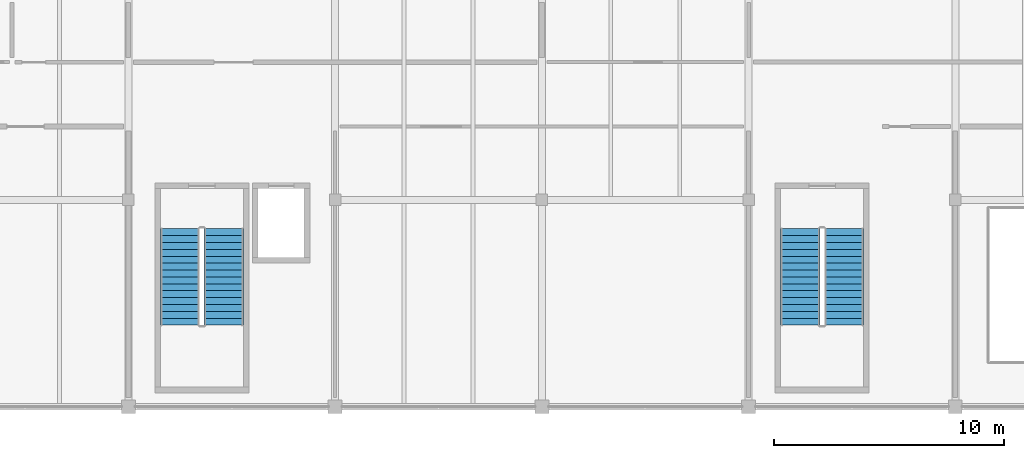
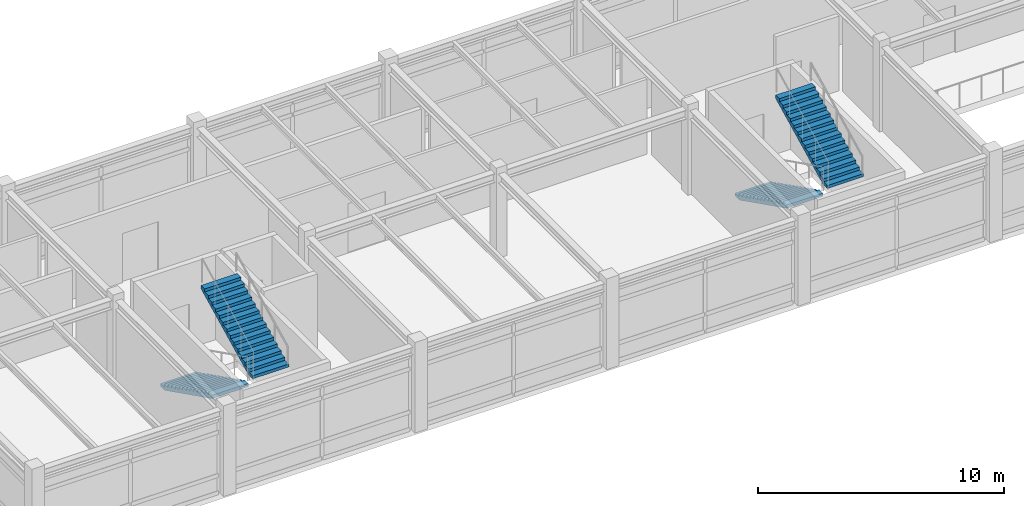
# One storey, part 31 of 33: 4 stair flights, 2 elements without a shape of their own.
"""IFC4 building model written with IfcOpenShell, lengths in metres."""

from ifc_helpers import new_model, si_unit, direction, frame, origin, place, context, subcontext, project, spatial, polyline, outline, extrude, material, type_object, element, aggregate, save


model = new_model("IFC4")

# Units and contexts
model_context = context("Model", 3, precision=1e-05, world=origin(), true_north=direction((0.0, 1.0)))
body_context = subcontext(model_context, "Body", "Model", "MODEL_VIEW")
ifc_project = project(units=[si_unit("LENGTHUNIT", "METRE"), si_unit("AREAUNIT", "SQUARE_METRE"), si_unit("VOLUMEUNIT", "CUBIC_METRE"), si_unit("PLANEANGLEUNIT", "RADIAN"), si_unit("MASSUNIT", "GRAM", prefix="KILO")], contexts=[model_context])

# Site, building, storey
site_placement = place(None, origin())
site = spatial("IfcSite", under=ifc_project, at=site_placement, CompositionType="ELEMENT")
building_placement = place(site_placement, origin())
building = spatial("IfcBuilding", under=site, at=building_placement, Name="Bozkorgan Art Gallery", CompositionType="ELEMENT")
storey_placement = place(building_placement, frame((0.0, 0.0, 19.5)))
storey = spatial("IfcBuildingStorey", under=building, at=storey_placement, Name="L04", CompositionType="ELEMENT", Elevation=19.5)

# Stair, stair flights
ifc_material = material(Name="Concrete C35/45", Category="concrete")
stair_type_1 = type_object("IfcStairType", Name="STAIR-CORE1", PredefinedType="HALF_TURN_STAIR", material=ifc_material)
stair_1_placement = place(storey_placement, origin())
stair_1 = element("IfcStair", 1, at=stair_1_placement, inside=storey, type_object=stair_type_1, Name="L04 ST1 Core Stair", PredefinedType="HALF_TURN_STAIR")
stair_flight_type_1 = type_object("IfcStairFlightType", Name="SFLT-CORE1", PredefinedType="STRAIGHT", material=ifc_material)
stair_flight_1_placement = place(storey_placement, frame((13.25, 9.75, 0.0), z_axis=(0.0, 0.0, 1.0), x_axis=(0.0, -1.0, 0.0)))
stair_flight_1 = element("IfcStairFlight", 2, at=stair_flight_1_placement, type_object=stair_flight_type_1, Name="ST1 flight 1", NumberOfRisers=15, NumberOfTreads=14, PredefinedType="STRAIGHT", RiserHeight=0.15, TreadLength=0.3, context=body_context, shape_type="SweptSolid", body=[
    extrude(outline(polyline([(0.0, 0.0), (0.0, 0.14990234375), (0.300048828125, 0.14990234375), (0.300048828125, 0.300048828125), (0.60009765625, 0.300048828125), (0.60009765625, 0.449951171875), (0.89990234375, 0.449951171875), (0.89990234375, 0.60009765625), (1.199951171875, 0.60009765625), (1.199951171875, 0.75), (1.5, 0.75), (1.5, 0.89990234375), (1.800048828125, 0.89990234375), (1.800048828125, 1.050048828125), (2.10009765625, 1.050048828125), (2.10009765625, 1.199951171875), (2.39990234375, 1.199951171875), (2.39990234375, 1.35009765625), (2.699951171875, 1.35009765625), (2.699951171875, 1.5), (3.0, 1.5), (3.0, 1.64990234375), (3.300048828125, 1.64990234375), (3.300048828125, 1.800048828125), (3.60009765625, 1.800048828125), (3.60009765625, 1.949951171875), (3.89990234375, 1.949951171875), (3.89990234375, 2.10009765625), (4.199951171875, 2.10009765625), (4.199951171875, 2.25), (4.199951171875, 1.932373046875), (0.335205078125, 0.0), (0.0, 0.0)])), frame((0.0, 0.85009765625, 0.0), z_axis=(0.0, -1.0, 0.0), x_axis=(1.0, 0.0, 0.0)), (0.0, 0.0, 1.0), 1.699951171875),
])
stair_flight_2_placement = place(storey_placement, frame((15.14990234375, 5.550048828125, 2.25), z_axis=(0.0, 0.0, 1.0), x_axis=(0.0, 1.0, 0.0)))
stair_flight_2 = element("IfcStairFlight", 3, at=stair_flight_2_placement, type_object=stair_flight_type_1, Name="ST1 flight 2", NumberOfRisers=15, NumberOfTreads=14, PredefinedType="STRAIGHT", RiserHeight=0.15, TreadLength=0.3, context=body_context, shape_type="SweptSolid", body=[
    extrude(outline(polyline([(0.0, 0.0), (0.0, 0.14990234375), (0.300048828125, 0.14990234375), (0.300048828125, 0.300048828125), (0.60009765625, 0.300048828125), (0.60009765625, 0.449951171875), (0.89990234375, 0.449951171875), (0.89990234375, 0.60009765625), (1.199951171875, 0.60009765625), (1.199951171875, 0.75), (1.5, 0.75), (1.5, 0.89990234375), (1.800048828125, 0.89990234375), (1.800048828125, 1.050048828125), (2.10009765625, 1.050048828125), (2.10009765625, 1.199951171875), (2.39990234375, 1.199951171875), (2.39990234375, 1.35009765625), (2.699951171875, 1.35009765625), (2.699951171875, 1.5), (3.0, 1.5), (3.0, 1.64990234375), (3.300048828125, 1.64990234375), (3.300048828125, 1.800048828125), (3.60009765625, 1.800048828125), (3.60009765625, 1.949951171875), (3.89990234375, 1.949951171875), (3.89990234375, 2.10009765625), (4.199951171875, 2.10009765625), (4.199951171875, 2.25), (4.199951171875, 1.932373046875), (0.335205078125, 0.0), (0.0, 0.0)])), frame((0.0, 0.85009765625, 0.0), z_axis=(0.0, -1.0, 0.0), x_axis=(1.0, 0.0, 0.0)), (0.0, 0.0, 1.0), 1.699951171875),
])
aggregate(stair_1, [stair_flight_1, stair_flight_2])

stair_type_2 = type_object("IfcStairType", Name="STAIR-CORE7", PredefinedType="HALF_TURN_STAIR", material=ifc_material)
stair_2_placement = place(storey_placement, origin())
stair_2 = element("IfcStair", 4, at=stair_2_placement, inside=storey, type_object=stair_type_2, Name="L04 ST12 Core Stair", PredefinedType="HALF_TURN_STAIR")
stair_flight_type_2 = type_object("IfcStairFlightType", Name="SFLT-CORE7", PredefinedType="STRAIGHT", material=ifc_material)
stair_flight_3_placement = place(storey_placement, frame((40.25, 9.75, 0.0), z_axis=(0.0, 0.0, 1.0), x_axis=(0.0, -1.0, 0.0)))
stair_flight_3 = element("IfcStairFlight", 5, at=stair_flight_3_placement, type_object=stair_flight_type_2, Name="ST12 flight 1", NumberOfRisers=15, NumberOfTreads=14, PredefinedType="STRAIGHT", RiserHeight=0.15, TreadLength=0.3, context=body_context, shape_type="SweptSolid", body=[
    extrude(outline(polyline([(0.0, 0.0), (0.0, 0.14990234375), (0.300048828125, 0.14990234375), (0.300048828125, 0.300048828125), (0.60009765625, 0.300048828125), (0.60009765625, 0.449951171875), (0.89990234375, 0.449951171875), (0.89990234375, 0.60009765625), (1.199951171875, 0.60009765625), (1.199951171875, 0.75), (1.5, 0.75), (1.5, 0.89990234375), (1.800048828125, 0.89990234375), (1.800048828125, 1.050048828125), (2.10009765625, 1.050048828125), (2.10009765625, 1.199951171875), (2.39990234375, 1.199951171875), (2.39990234375, 1.35009765625), (2.699951171875, 1.35009765625), (2.699951171875, 1.5), (3.0, 1.5), (3.0, 1.64990234375), (3.300048828125, 1.64990234375), (3.300048828125, 1.800048828125), (3.60009765625, 1.800048828125), (3.60009765625, 1.949951171875), (3.89990234375, 1.949951171875), (3.89990234375, 2.10009765625), (4.199951171875, 2.10009765625), (4.199951171875, 2.25), (4.199951171875, 1.932373046875), (0.335205078125, 0.0), (0.0, 0.0)])), frame((0.0, 0.85009765625, 0.0), z_axis=(0.0, -1.0, 0.0), x_axis=(1.0, 0.0, 0.0)), (0.0, 0.0, 1.0), 1.699951171875),
])
stair_flight_4_placement = place(storey_placement, frame((42.14990234375, 5.550048828125, 2.25), z_axis=(0.0, 0.0, 1.0), x_axis=(0.0, 1.0, 0.0)))
stair_flight_4 = element("IfcStairFlight", 6, at=stair_flight_4_placement, type_object=stair_flight_type_2, Name="ST12 flight 2", NumberOfRisers=15, NumberOfTreads=14, PredefinedType="STRAIGHT", RiserHeight=0.15, TreadLength=0.3, context=body_context, shape_type="SweptSolid", body=[
    extrude(outline(polyline([(0.0, 0.0), (0.0, 0.14990234375), (0.300048828125, 0.14990234375), (0.300048828125, 0.300048828125), (0.60009765625, 0.300048828125), (0.60009765625, 0.449951171875), (0.89990234375, 0.449951171875), (0.89990234375, 0.60009765625), (1.199951171875, 0.60009765625), (1.199951171875, 0.75), (1.5, 0.75), (1.5, 0.89990234375), (1.800048828125, 0.89990234375), (1.800048828125, 1.050048828125), (2.10009765625, 1.050048828125), (2.10009765625, 1.199951171875), (2.39990234375, 1.199951171875), (2.39990234375, 1.35009765625), (2.699951171875, 1.35009765625), (2.699951171875, 1.5), (3.0, 1.5), (3.0, 1.64990234375), (3.300048828125, 1.64990234375), (3.300048828125, 1.800048828125), (3.60009765625, 1.800048828125), (3.60009765625, 1.949951171875), (3.89990234375, 1.949951171875), (3.89990234375, 2.10009765625), (4.199951171875, 2.10009765625), (4.199951171875, 2.25), (4.199951171875, 1.932373046875), (0.335205078125, 0.0), (0.0, 0.0)])), frame((0.0, 0.85009765625, 0.0), z_axis=(0.0, -1.0, 0.0), x_axis=(1.0, 0.0, 0.0)), (0.0, 0.0, 1.0), 1.699951171875),
])
aggregate(stair_2, [stair_flight_3, stair_flight_4])

save(model, "model.ifc")
